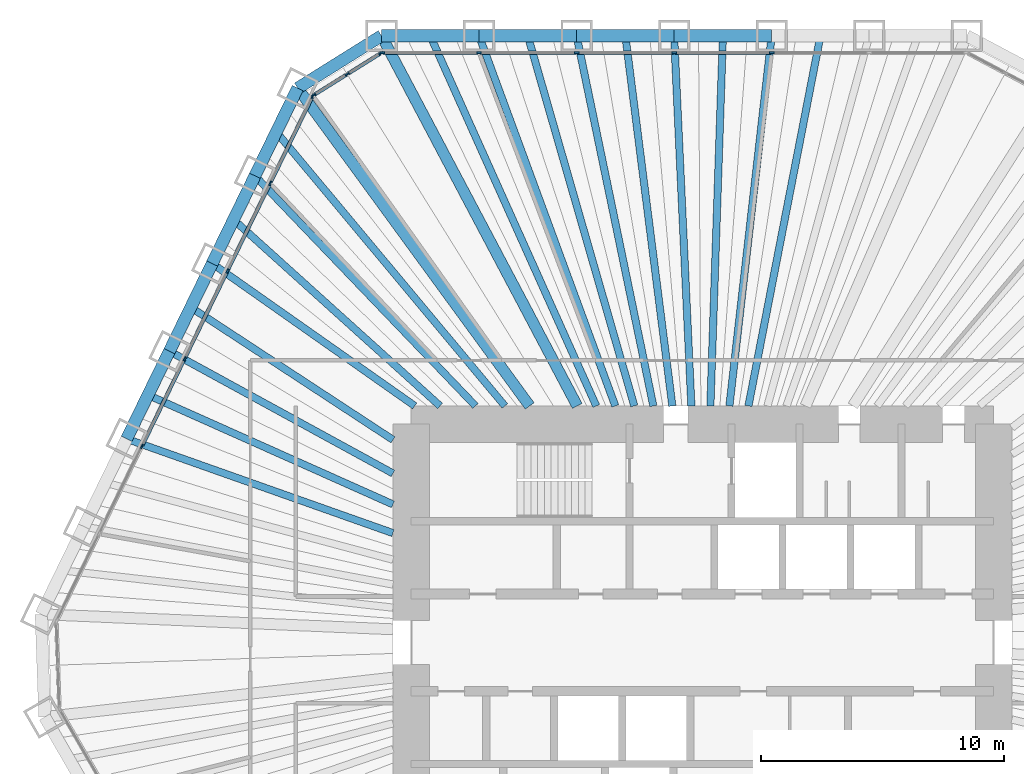
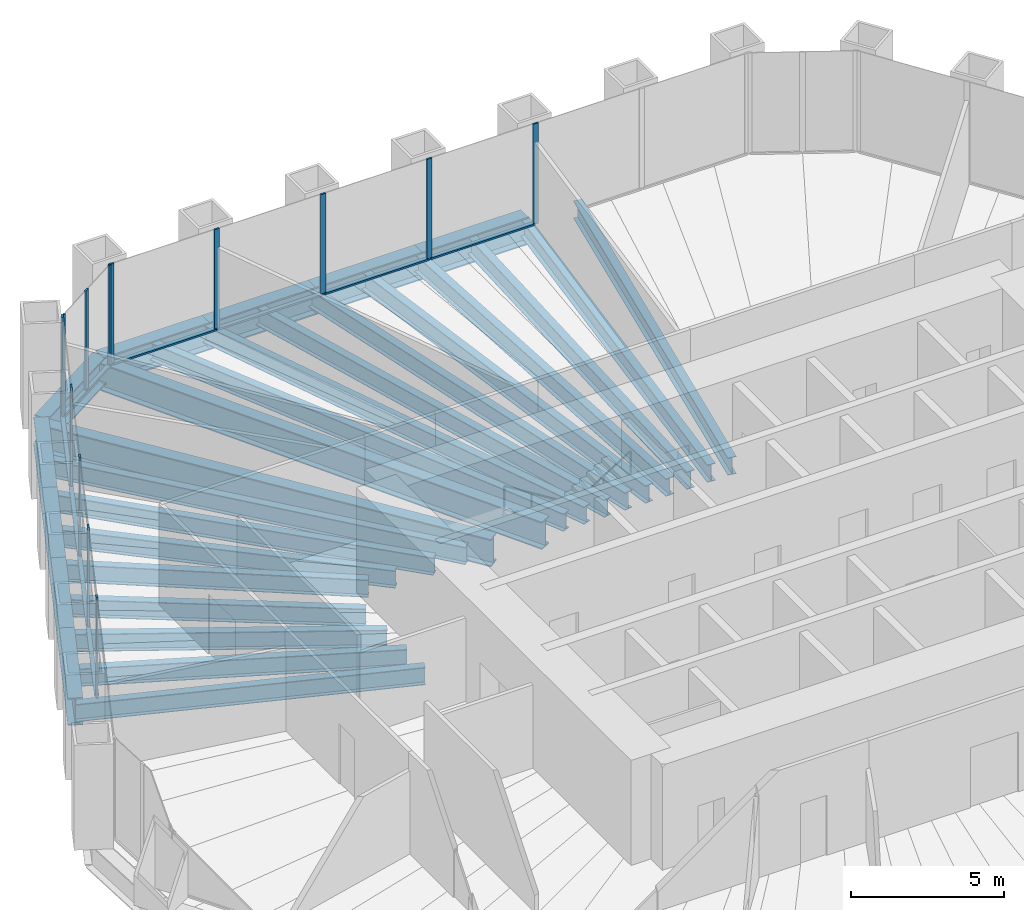
# One storey, part 6 of 13: 28 beams, 23 members, 3 elements without a shape of their own.
"""IFC4 building model written with IfcOpenShell, lengths in metres."""

import ifcopenshell
import ifcopenshell.guid

model = None  # the IFC model being written
_history = None  # IfcOwnerHistory: only IFC2X3 demands one
_inside = {}  # id of a spatial element -> (the spatial element, [elements in it])
_under = {}  # id of a project, library or spatial element -> (it, [spatial elements below it])
_declared = {}  # id of a project -> (the project, [libraries it declares])
_typed = {}  # id of a type object -> (the type object, [elements of that type])
_made_of = {}  # id of a material, layer set ... -> (it, [elements and type objects made of it])


def new_model(schema):
    """Start an empty IFC model of exactly this schema.

    Asked for "IFC4X3", IfcOpenShell would pick the latest addendum, in which some entities
    have other attributes; the version numbers below select the first issue.
    IFC2X3 requires an IfcOwnerHistory on every rooted entity: one is made here for all.
    """
    global model, _history
    if schema == "IFC4X3":
        model = ifcopenshell.file(schema_version=(4, 3, 0, 0))
    else:
        model = ifcopenshell.file(schema=schema)
    _inside.clear()
    _under.clear()
    _declared.clear()
    _typed.clear()
    _made_of.clear()
    _history = None
    if model.schema == "IFC2X3":
        org = make("IfcOrganization", Name="unknown")
        user = make(
            "IfcPersonAndOrganization",
            ThePerson=make("IfcPerson", FamilyName="unknown"),
            TheOrganization=org,
        )
        app = make(
            "IfcApplication",
            ApplicationDeveloper=org,
            Version="unknown",
            ApplicationFullName="unknown",
            ApplicationIdentifier="unknown",
        )
        _history = make(
            "IfcOwnerHistory",
            OwningUser=user,
            OwningApplication=app,
            ChangeAction="ADDED",
            CreationDate=0,
        )
    return model


def make(cls, **values):
    """One entity of the class cls with the attributes given. An attribute that is None is left unset."""
    return model.create_entity(
        cls, **{name: value for name, value in values.items() if value is not None}
    )


def rooted(cls, **values):
    """An entity with a GlobalId (a new one), such as an element, a storey or a relation."""
    return make(cls, GlobalId=ifcopenshell.guid.new(), OwnerHistory=_history, **values)


def si_unit(unit_type, name, prefix=None):
    """IfcSIUnit, for example si_unit("LENGTHUNIT", "METRE", prefix="MILLI")."""
    return make("IfcSIUnit", UnitType=unit_type, Prefix=prefix, Name=name)


def assignment(units):
    """IfcUnitAssignment: the units of a project."""
    return None if units is None else make("IfcUnitAssignment", Units=units)


def point(xyz):
    """IfcCartesianPoint."""
    return None if xyz is None else make("IfcCartesianPoint", Coordinates=xyz)


def direction(xyz):
    """IfcDirection."""
    return None if xyz is None else make("IfcDirection", DirectionRatios=xyz)


def frame(location, z_axis=None, x_axis=None):
    """IfcAxis2Placement3D, a coordinate frame: its origin and axes. An axis left out is left unset."""
    return make(
        "IfcAxis2Placement3D",
        Location=point(location),
        Axis=direction(z_axis),
        RefDirection=direction(x_axis),
    )


def frame_2d(location, x_axis=None):
    """IfcAxis2Placement2D, a coordinate frame in the plane: its origin and x axis."""
    return make(
        "IfcAxis2Placement2D", Location=point(location), RefDirection=direction(x_axis)
    )


def origin():
    """The frame at (0, 0, 0) with its axes left unset."""
    return frame((0.0, 0.0, 0.0))


def origin_2d():
    """The frame at (0, 0) in the plane with its x axis left unset."""
    return frame_2d((0.0, 0.0))


def place(relative_to, where):
    """IfcLocalPlacement: puts the frame where relative to a parent placement (None: the world)."""
    return make(
        "IfcLocalPlacement", PlacementRelTo=relative_to, RelativePlacement=where
    )


def context(
    kind, dimensions, precision=None, world=None, true_north=None, identifier=None
):
    """IfcGeometricRepresentationContext, for example the 3D "Model" context."""
    return make(
        "IfcGeometricRepresentationContext",
        ContextIdentifier=identifier,
        ContextType=kind,
        CoordinateSpaceDimension=dimensions,
        Precision=precision,
        WorldCoordinateSystem=world,
        TrueNorth=true_north,
    )


def subcontext(parent, identifier, kind, view, scale=None):
    """IfcGeometricRepresentationSubContext, for example "Body" below "Model"."""
    return make(
        "IfcGeometricRepresentationSubContext",
        ContextIdentifier=identifier,
        ContextType=kind,
        ParentContext=parent,
        TargetScale=scale,
        TargetView=view,
    )


def project(units=None, contexts=None):
    """IfcProject with its units and contexts."""
    return rooted(
        "IfcProject",
        Name="project",
        RepresentationContexts=contexts,
        UnitsInContext=assignment(units),
    )


def spatial(cls, under=None, at=None, **own):
    """A site, building, storey or space (cls), placed at a placement, below another one or the project."""
    s = rooted(cls, ObjectPlacement=at, **own)
    if under is not None:
        _under.setdefault(under.id(), (under, []))[1].append(s)
    return s


def profile(cls, at=None, kind="AREA", **sizes):
    """A parametric profile (cls). Its sizes go by their IFC names, for example OverallWidth=200.0."""
    return make(cls, ProfileType=kind, Position=at, **sizes)


def rectangle(**sizes):
    """IfcRectangleProfileDef."""
    return profile("IfcRectangleProfileDef", **sizes)


def i_section(**sizes):
    """IfcIShapeProfileDef."""
    return profile("IfcIShapeProfileDef", **sizes)


def extrude(swept, where, along, depth):
    """IfcExtrudedAreaSolid: the profile swept, set in the frame where, extruded along a direction by depth."""
    return make(
        "IfcExtrudedAreaSolid",
        SweptArea=swept,
        Position=where,
        ExtrudedDirection=direction(along),
        Depth=depth,
    )


def shape(context_of_items, identifier, shape_type, items):
    """IfcShapeRepresentation: the items that make up one representation, for example the "Body"."""
    return make(
        "IfcShapeRepresentation",
        ContextOfItems=context_of_items,
        RepresentationIdentifier=identifier,
        RepresentationType=shape_type,
        Items=items,
    )


def material(Name=None, Category=None):
    """IfcMaterial."""
    return make("IfcMaterial", Name=Name, Category=Category)


def material_profile(
    of_material, cross_section, Name=None, Category=None, Priority=None
):
    """IfcMaterialProfile: a cross section and its material."""
    return make(
        "IfcMaterialProfile",
        Name=Name,
        Material=of_material,
        Profile=cross_section,
        Priority=Priority,
        Category=Category,
    )


def profile_set(profiles, Name=None, composite=None):
    """IfcMaterialProfileSet."""
    return make(
        "IfcMaterialProfileSet",
        Name=Name,
        MaterialProfiles=profiles,
        CompositeProfile=composite,
    )


def made_of(thing, what):
    """Note that an element or type object is made of a material, layer set ...; save() writes the relation."""
    if what is not None:
        _made_of.setdefault(what.id(), (what, []))[1].append(thing)
    return thing


def type_object(cls, material=None, **own):
    """A type object (cls), such as IfcWallType, which elements share."""
    return made_of(rooted(cls, **own), material)


def element(
    cls,
    number,
    at=None,
    inside=None,
    cuts=None,
    type_object=None,
    material=None,
    context=None,
    identifier="Body",
    shape_type=None,
    held_by="IfcProductDefinitionShape",
    body=None,
    shapes=None,
    **own,
):
    """One element of the class cls, such as IfcWall. Its Tag is "e" and its number.

    at: its placement. inside: the storey or other place that contains it. cuts: it is an
    opening in that element (IfcRelVoidsElement). A single representation is given by context,
    identifier, shape_type and body (its items); several are given by shapes. held_by: the class
    of the entity that holds the representations. save() writes the other relations.
    """
    e = rooted(cls, Tag="e%d" % number, ObjectPlacement=at, **own)
    if body is not None:
        shapes = [shape(context, identifier, shape_type, body)]
    if shapes is not None:
        e.Representation = make(held_by, Representations=shapes)
    if inside is not None:
        _inside.setdefault(inside.id(), (inside, []))[1].append(e)
    if cuts is not None:
        rooted(
            "IfcRelVoidsElement", RelatingBuildingElement=cuts, RelatedOpeningElement=e
        )
    if type_object is not None:
        _typed.setdefault(type_object.id(), (type_object, []))[1].append(e)
    return made_of(e, material)


def aggregate(whole, parts):
    """IfcRelAggregates: a whole, such as a stair, and the parts it consists of."""
    return rooted("IfcRelAggregates", RelatingObject=whole, RelatedObjects=parts)


def save(model, path):
    """Write the relations noted so far, then the file.

    IfcRelAggregates (storeys below a building ...), IfcRelContainedInSpatialStructure (elements
    in a storey), IfcRelDefinesByType, IfcRelAssociatesMaterial and IfcRelDeclares: one each for
    every whole, place, type object, material and project.
    """
    for whole, parts in _under.values():
        aggregate(whole, parts)
    for where, things in _inside.values():
        rooted(
            "IfcRelContainedInSpatialStructure",
            RelatedElements=things,
            RelatingStructure=where,
        )
    for kind, things in _typed.values():
        rooted("IfcRelDefinesByType", RelatedObjects=things, RelatingType=kind)
    for what, things in _made_of.values():
        rooted("IfcRelAssociatesMaterial", RelatedObjects=things, RelatingMaterial=what)
    for by, libraries in _declared.values():
        rooted("IfcRelDeclares", RelatingContext=by, RelatedDefinitions=libraries)
    model.write(path)


model = new_model("IFC4")

# Units and contexts
model_context = context("Model", 3, precision=1e-05, world=origin(), true_north=direction((0.0, 1.0)))
body_context = subcontext(model_context, "Body", "Model", "MODEL_VIEW")
ifc_project = project(units=[si_unit("LENGTHUNIT", "METRE"), si_unit("AREAUNIT", "SQUARE_METRE"), si_unit("VOLUMEUNIT", "CUBIC_METRE"), si_unit("PLANEANGLEUNIT", "RADIAN"), si_unit("MASSUNIT", "GRAM", prefix="KILO")], contexts=[model_context])

# Site, building, storey
site_placement = place(None, origin())
site = spatial("IfcSite", under=ifc_project, at=site_placement, CompositionType="ELEMENT")
building_placement = place(site_placement, origin())
building = spatial("IfcBuilding", under=site, at=building_placement, Name="Qingtian Harvest Tower", CompositionType="ELEMENT")
storey_placement = place(building_placement, frame((0.0, 0.0, 153.39990234375)))
storey = spatial("IfcBuildingStorey", under=building, at=storey_placement, Name="L32", CompositionType="ELEMENT", Elevation=153.39990234375)

# Beams
ifc_material_1 = material(Name="Steel SM570MC", Category="steel")
ifc_material_profile_1 = material_profile(ifc_material_1, i_section(OverallWidth=0.449951171875, OverallDepth=1.10009765625, WebThickness=0.02197265625, FlangeThickness=0.044921875, at=origin_2d()), Name="H1100x450x22x45")
ifc_profile_set_1 = profile_set([ifc_material_profile_1], Name="Steel SM570MC")
beam_type_1 = type_object("IfcBeamType", Name="Corner floor beam FB8 H1100x450x22x45", PredefinedType="BEAM", material=ifc_profile_set_1)
beam_1_placement = place(storey_placement, frame((-13.2216796875, 25.0, -0.719970703125), z_axis=(0.46750989692, -0.88398783718, 0.0), x_axis=(0.88398783718, 0.46750989692, 0.0)))
element("IfcBeam", 1, at=beam_1_placement, inside=storey, type_object=beam_type_1, Name="Floor beam FB8 N0", PredefinedType="BEAM", context=body_context, shape_type="SweptSolid", body=[
    extrude(i_section(OverallWidth=0.449951171875, OverallDepth=1.10009765625, WebThickness=0.02197265625, FlangeThickness=0.044921875, at=origin_2d()), origin(), (0.0, 0.0, 1.0), 17.25146484375),
])
beam_2_placement = place(storey_placement, frame((-16.673828125, 22.8427734375, -0.719970703125), z_axis=(0.589577703364, -0.807711663712, 0.0), x_axis=(0.807711663712, 0.589577703364, 0.0)))
element("IfcBeam", 2, at=beam_2_placement, inside=storey, type_object=beam_type_1, Name="Floor beam FB8 NW6", PredefinedType="BEAM", context=body_context, shape_type="SweptSolid", body=[
    extrude(i_section(OverallWidth=0.449951171875, OverallDepth=1.10009765625, WebThickness=0.02197265625, FlangeThickness=0.044921875, at=origin_2d()), origin(), (0.0, 0.0, 1.0), 16.209716796875),
])
ifc_material_2 = material(Name="Steel SN490B", Category="steel")
ifc_material_profile_2 = material_profile(ifc_material_2, i_section(OverallWidth=0.300048828125, OverallDepth=0.699951171875, WebThickness=0.012939453125, FlangeThickness=0.02392578125, at=origin_2d()), Name="H700x300x13x24")
ifc_profile_set_2 = profile_set([ifc_material_profile_2], Name="Steel SN490B")
beam_type_2 = type_object("IfcBeamType", Name="Floor beam FB2 H700x300x13x24", PredefinedType="BEAM", material=ifc_profile_set_2)
beam_3_placement = place(storey_placement, frame((-9.20263671875, 25.0, -0.52001953125), z_axis=(0.345440084985, -0.938440806703, 0.0), x_axis=(0.938440806703, 0.345440084985, 0.0)))
element("IfcBeam", 3, at=beam_3_placement, inside=storey, type_object=beam_type_2, Name="Floor beam FB2 N1", PredefinedType="BEAM", context=body_context, shape_type="SweptSolid", body=[
    extrude(i_section(OverallWidth=0.300048828125, OverallDepth=0.699951171875, WebThickness=0.012939453125, FlangeThickness=0.02392578125, at=origin_2d()), origin(), (0.0, 0.0, 1.0), 16.250244140625),
])
beam_4_placement = place(storey_placement, frame((-5.18359375, 25.0, -0.52001953125), z_axis=(0.203032709566, -0.979171955709, 0.0), x_axis=(0.979171955709, 0.203032709566, 0.0)))
element("IfcBeam", 4, at=beam_4_placement, inside=storey, type_object=beam_type_2, Name="Floor beam FB2 N2", PredefinedType="BEAM", context=body_context, shape_type="SweptSolid", body=[
    extrude(i_section(OverallWidth=0.300048828125, OverallDepth=0.699951171875, WebThickness=0.012939453125, FlangeThickness=0.02392578125, at=origin_2d()), origin(), (0.0, 0.0, 1.0), 15.574462890625),
])
beam_5_placement = place(storey_placement, frame((-1.16455078125, 25.0, -0.52001953125), z_axis=(0.046536361684, -0.998916596639, 0.0), x_axis=(0.998916596639, 0.046536361684, 0.0)))
element("IfcBeam", 5, at=beam_5_placement, inside=storey, type_object=beam_type_2, Name="Floor beam FB2 N3", PredefinedType="BEAM", context=body_context, shape_type="SweptSolid", body=[
    extrude(i_section(OverallWidth=0.300048828125, OverallDepth=0.699951171875, WebThickness=0.012939453125, FlangeThickness=0.02392578125, at=origin_2d()), origin(), (0.0, 0.0, 1.0), 15.2666015625),
])
beam_6_placement = place(storey_placement, frame((2.8544921875, 25.0, -0.52001953125), z_axis=(-0.113440722222, -0.993544766249, 0.0), x_axis=(0.993544766249, -0.113440722222, 0.0)))
element("IfcBeam", 6, at=beam_6_placement, inside=storey, type_object=beam_type_2, Name="Floor beam FB2 N4", PredefinedType="BEAM", context=body_context, shape_type="SweptSolid", body=[
    extrude(i_section(OverallWidth=0.300048828125, OverallDepth=0.699951171875, WebThickness=0.012939453125, FlangeThickness=0.02392578125, at=origin_2d()), origin(), (0.0, 0.0, 1.0), 15.34912109375),
])
beam_7_placement = place(storey_placement, frame((-23.72119140625, 8.3935546875, -0.52001953125), z_axis=(0.942723186419, -0.333576068967, 0.0), x_axis=(0.333576068967, 0.942723186419, 0.0)))
element("IfcBeam", 7, at=beam_7_placement, inside=storey, type_object=beam_type_2, Name="Floor beam FB2 NW2", PredefinedType="BEAM", context=body_context, shape_type="SweptSolid", body=[
    extrude(i_section(OverallWidth=0.300048828125, OverallDepth=0.699951171875, WebThickness=0.012939453125, FlangeThickness=0.02392578125, at=origin_2d()), origin(), (0.0, 0.0, 1.0), 11.6376953125),
])
beam_8_placement = place(storey_placement, frame((-21.95947265625, 12.005859375, -0.52001953125), z_axis=(0.877432026785, -0.479700988505, 0.0), x_axis=(0.479700988505, 0.877432026785, 0.0)))
element("IfcBeam", 8, at=beam_8_placement, inside=storey, type_object=beam_type_2, Name="Floor beam FB2 NW3", PredefinedType="BEAM", context=body_context, shape_type="SweptSolid", body=[
    extrude(i_section(OverallWidth=0.300048828125, OverallDepth=0.699951171875, WebThickness=0.012939453125, FlangeThickness=0.02392578125, at=origin_2d()), origin(), (0.0, 0.0, 1.0), 10.495849609375),
])
beam_9_placement = place(storey_placement, frame((-20.197509765625, 15.6181640625, -0.52001953125), z_axis=(0.818080343043, -0.57510394915, 0.0), x_axis=(0.57510394915, 0.818080343043, 0.0)))
element("IfcBeam", 9, at=beam_9_placement, inside=storey, type_object=beam_type_2, Name="Floor beam FB2 NW4", PredefinedType="BEAM", context=body_context, shape_type="SweptSolid", body=[
    extrude(i_section(OverallWidth=0.300048828125, OverallDepth=0.699951171875, WebThickness=0.012939453125, FlangeThickness=0.02392578125, at=origin_2d()), origin(), (0.0, 0.0, 1.0), 10.20361328125),
])
beam_10_placement = place(storey_placement, frame((-18.435791015625, 19.23046875, -0.52001953125), z_axis=(0.69204101057, -0.721858185303, 0.0), x_axis=(0.721858185303, 0.69204101057, 0.0)))
element("IfcBeam", 10, at=beam_10_placement, inside=storey, type_object=beam_type_2, Name="Floor beam FB2 NW5", PredefinedType="BEAM", context=body_context, shape_type="SweptSolid", body=[
    extrude(i_section(OverallWidth=0.300048828125, OverallDepth=0.699951171875, WebThickness=0.012939453125, FlangeThickness=0.02392578125, at=origin_2d()), origin(), (0.0, 0.0, 1.0), 13.13330078125),
])
ifc_material_3 = material(Name="Steel SN490B", Category="steel")
ifc_material_profile_3 = material_profile(ifc_material_3, i_section(OverallWidth=0.300048828125, OverallDepth=0.699951171875, WebThickness=0.012939453125, FlangeThickness=0.02392578125, at=origin_2d()), Name="H700x300x13x24")
ifc_profile_set_3 = profile_set([ifc_material_profile_3], Name="Steel SN490B")
beam_type_3 = type_object("IfcBeamType", Name="Floor joist J2 H700x300x13x24", PredefinedType="JOIST", material=ifc_profile_set_3)
beam_11_placement = place(storey_placement, frame((-11.212158203125, 25.0, -0.52001953125), z_axis=(0.409212761683, -0.912438992852, 0.0), x_axis=(0.912438992852, 0.409212761683, 0.0)))
element("IfcBeam", 11, at=beam_11_placement, inside=storey, type_object=beam_type_3, Name="Floor joist J2 N0", PredefinedType="JOIST", context=body_context, shape_type="SweptSolid", body=[
    extrude(i_section(OverallWidth=0.300048828125, OverallDepth=0.699951171875, WebThickness=0.012939453125, FlangeThickness=0.02392578125, at=origin_2d()), origin(), (0.0, 0.0, 1.0), 16.71337890625),
])
beam_12_placement = place(storey_placement, frame((-7.193115234375, 25.0, -0.52001953125), z_axis=(0.276500682027, -0.961013721462, 0.0), x_axis=(0.961013721462, 0.276500682027, 0.0)))
element("IfcBeam", 12, at=beam_12_placement, inside=storey, type_object=beam_type_3, Name="Floor joist J2 N1", PredefinedType="JOIST", context=body_context, shape_type="SweptSolid", body=[
    extrude(i_section(OverallWidth=0.300048828125, OverallDepth=0.699951171875, WebThickness=0.012939453125, FlangeThickness=0.02392578125, at=origin_2d()), origin(), (0.0, 0.0, 1.0), 15.86865234375),
])
beam_13_placement = place(storey_placement, frame((-3.174072265625, 25.0, -0.52001953125), z_axis=(0.125957899702, -0.992035587821, 0.0), x_axis=(0.992035587821, 0.125957899702, 0.0)))
element("IfcBeam", 13, at=beam_13_placement, inside=storey, type_object=beam_type_3, Name="Floor joist J2 N2", PredefinedType="JOIST", context=body_context, shape_type="SweptSolid", body=[
    extrude(i_section(OverallWidth=0.300048828125, OverallDepth=0.699951171875, WebThickness=0.012939453125, FlangeThickness=0.02392578125, at=origin_2d()), origin(), (0.0, 0.0, 1.0), 15.372314453125),
])
beam_14_placement = place(storey_placement, frame((0.844970703125, 25.0, -0.52001953125), z_axis=(-0.033776183237, -0.999429421943, 0.0), x_axis=(0.999429421943, -0.033776183237, 0.0)))
element("IfcBeam", 14, at=beam_14_placement, inside=storey, type_object=beam_type_3, Name="Floor joist J2 N3", PredefinedType="JOIST", context=body_context, shape_type="SweptSolid", body=[
    extrude(i_section(OverallWidth=0.300048828125, OverallDepth=0.699951171875, WebThickness=0.012939453125, FlangeThickness=0.02392578125, at=origin_2d()), origin(), (0.0, 0.0, 1.0), 15.2587890625),
])
beam_15_placement = place(storey_placement, frame((4.864013671875, 25.0, -0.52001953125), z_axis=(-0.190979017217, -0.981594119269, 0.0), x_axis=(0.981594119269, -0.190979017217, 0.0)))
element("IfcBeam", 15, at=beam_15_placement, inside=storey, type_object=beam_type_3, Name="Floor joist J2 N4", PredefinedType="JOIST", context=body_context, shape_type="SweptSolid", body=[
    extrude(i_section(OverallWidth=0.300048828125, OverallDepth=0.699951171875, WebThickness=0.012939453125, FlangeThickness=0.02392578125, at=origin_2d()), origin(), (0.0, 0.0, 1.0), 15.535888671875),
])
beam_16_placement = place(storey_placement, frame((-22.84033203125, 10.19970703125, -0.52001953125), z_axis=(0.913095877166, -0.407744919162, 0.0), x_axis=(0.407744919162, 0.913095877166, 0.0)))
element("IfcBeam", 16, at=beam_16_placement, inside=storey, type_object=beam_type_3, Name="Floor joist J2 NW2", PredefinedType="JOIST", context=body_context, shape_type="SweptSolid", body=[
    extrude(i_section(OverallWidth=0.300048828125, OverallDepth=0.699951171875, WebThickness=0.012939453125, FlangeThickness=0.02392578125, at=origin_2d()), origin(), (0.0, 0.0, 1.0), 11.05078125),
])
beam_17_placement = place(storey_placement, frame((-21.078369140625, 13.81201171875, -0.52001953125), z_axis=(0.836426246046, -0.548079496903, 0.0), x_axis=(0.548079496903, 0.836426246046, 0.0)))
element("IfcBeam", 17, at=beam_17_placement, inside=storey, type_object=beam_type_3, Name="Floor joist J2 NW3", PredefinedType="JOIST", context=body_context, shape_type="SweptSolid", body=[
    extrude(i_section(OverallWidth=0.300048828125, OverallDepth=0.699951171875, WebThickness=0.012939453125, FlangeThickness=0.02392578125, at=origin_2d()), origin(), (0.0, 0.0, 1.0), 9.95703125),
])
beam_18_placement = place(storey_placement, frame((-19.316650390625, 17.42431640625, -0.52001953125), z_axis=(0.742543540775, -0.669797797886, 0.0), x_axis=(0.669797797886, 0.742543540775, 0.0)))
element("IfcBeam", 18, at=beam_18_placement, inside=storey, type_object=beam_type_3, Name="Floor joist J2 NW4", PredefinedType="JOIST", context=body_context, shape_type="SweptSolid", body=[
    extrude(i_section(OverallWidth=0.300048828125, OverallDepth=0.699951171875, WebThickness=0.012939453125, FlangeThickness=0.02392578125, at=origin_2d()), origin(), (0.0, 0.0, 1.0), 11.457763671875),
])
beam_19_placement = place(storey_placement, frame((-17.5546875, 21.03662109375, -0.52001953125), z_axis=(0.640703730007, -0.767788206704, 0.0), x_axis=(0.767788206704, 0.640703730007, 0.0)))
element("IfcBeam", 19, at=beam_19_placement, inside=storey, type_object=beam_type_3, Name="Floor joist J2 NW5", PredefinedType="JOIST", context=body_context, shape_type="SweptSolid", body=[
    extrude(i_section(OverallWidth=0.300048828125, OverallDepth=0.699951171875, WebThickness=0.012939453125, FlangeThickness=0.02392578125, at=origin_2d()), origin(), (0.0, 0.0, 1.0), 14.7001953125),
])

# Curtain wall, members
ifc_material_4 = material(Name="Bronze-anodised aluminium curtain wall", Category="aluminium")
curtain_wall_type = type_object("IfcCurtainWallType", Name="Curtain wall CW4 office", PredefinedType="USERDEFINED", material=ifc_material_4)
curtain_wall_1_placement = place(storey_placement, origin())
curtain_wall_1 = element("IfcCurtainWall", 20, at=curtain_wall_1_placement, inside=storey, type_object=curtain_wall_type, Name="Curtain wall CW4 L32 N0-5", ObjectType="RECESSED CURTAIN WALL", PredefinedType="USERDEFINED")
ifc_material_5 = material(Name="Bronze-anodised aluminium mullion", Category="aluminium")
ifc_material_profile_4 = material_profile(ifc_material_5, rectangle(XDim=0.06494140625, YDim=0.199951171875, at=origin_2d()), Name="AL 65x200")
ifc_profile_set_4 = profile_set([ifc_material_profile_4], Name="Bronze-anodised aluminium mullion")
member_type_1 = type_object("IfcMemberType", Name="Mullion CWM 65x200", PredefinedType="MULLION", material=ifc_profile_set_4)
member_1_placement = place(storey_placement, frame((-13.189208984375, 24.300048828125, 0.0), z_axis=(0.0, 0.0, 1.0), x_axis=(0.0, 1.0, 0.0)))
member_1 = element("IfcMember", 21, at=member_1_placement, type_object=member_type_1, Name="CW4 mullion 1", PredefinedType="MULLION", context=body_context, shape_type="SweptSolid", body=[
    extrude(rectangle(XDim=0.06494140625, YDim=0.199951171875, at=origin_2d()), origin(), (0.0, 0.0, 1.0), 4.030029296875),
])
member_2_placement = place(storey_placement, frame((-9.20263671875, 24.300048828125, 0.0), z_axis=(0.0, 0.0, 1.0), x_axis=(0.0, 1.0, 0.0)))
member_2 = element("IfcMember", 22, at=member_2_placement, type_object=member_type_1, Name="CW4 mullion 2", PredefinedType="MULLION", context=body_context, shape_type="SweptSolid", body=[
    extrude(rectangle(XDim=0.06494140625, YDim=0.199951171875, at=origin_2d()), origin(), (0.0, 0.0, 1.0), 4.030029296875),
])
member_3_placement = place(storey_placement, frame((-5.18359375, 24.300048828125, 0.0), z_axis=(0.0, 0.0, 1.0), x_axis=(0.0, 1.0, 0.0)))
member_3 = element("IfcMember", 23, at=member_3_placement, type_object=member_type_1, Name="CW4 mullion 3", PredefinedType="MULLION", context=body_context, shape_type="SweptSolid", body=[
    extrude(rectangle(XDim=0.06494140625, YDim=0.199951171875, at=origin_2d()), origin(), (0.0, 0.0, 1.0), 4.030029296875),
])
member_4_placement = place(storey_placement, frame((-1.16455078125, 24.300048828125, 0.0), z_axis=(0.0, 0.0, 1.0), x_axis=(0.0, 1.0, 0.0)))
member_4 = element("IfcMember", 24, at=member_4_placement, type_object=member_type_1, Name="CW4 mullion 4", PredefinedType="MULLION", context=body_context, shape_type="SweptSolid", body=[
    extrude(rectangle(XDim=0.06494140625, YDim=0.199951171875, at=origin_2d()), origin(), (0.0, 0.0, 1.0), 4.030029296875),
])
member_5_placement = place(storey_placement, frame((2.8544921875, 24.300048828125, 0.0), z_axis=(0.0, 0.0, 1.0), x_axis=(0.0, 1.0, 0.0)))
member_5 = element("IfcMember", 25, at=member_5_placement, type_object=member_type_1, Name="CW4 mullion 5", PredefinedType="MULLION", context=body_context, shape_type="SweptSolid", body=[
    extrude(rectangle(XDim=0.06494140625, YDim=0.199951171875, at=origin_2d()), origin(), (0.0, 0.0, 1.0), 4.030029296875),
])

curtain_wall_2_placement = place(storey_placement, origin())
curtain_wall_2 = element("IfcCurtainWall", 26, at=curtain_wall_2_placement, inside=storey, type_object=curtain_wall_type, Name="Curtain wall CW4 L32 NW0-5", ObjectType="RECESSED CURTAIN WALL", PredefinedType="USERDEFINED")
member_6_placement = place(storey_placement, frame((-23.092041015625, 8.086669921875, 0.0), z_axis=(0.0, 0.0, 1.0), x_axis=(-0.898794046299, 0.438371146789, 0.0)))
member_6 = element("IfcMember", 27, at=member_6_placement, type_object=member_type_1, Name="CW4 mullion 3", PredefinedType="MULLION", context=body_context, shape_type="SweptSolid", body=[
    extrude(rectangle(XDim=0.06494140625, YDim=0.199951171875, at=origin_2d()), origin(), (0.0, 0.0, 1.0), 4.030029296875),
])
member_7_placement = place(storey_placement, frame((-21.330322265625, 11.698974609375, 0.0), z_axis=(0.0, 0.0, 1.0), x_axis=(-0.898794046299, 0.438371146789, 0.0)))
member_7 = element("IfcMember", 28, at=member_7_placement, type_object=member_type_1, Name="CW4 mullion 4", PredefinedType="MULLION", context=body_context, shape_type="SweptSolid", body=[
    extrude(rectangle(XDim=0.06494140625, YDim=0.199951171875, at=origin_2d()), origin(), (0.0, 0.0, 1.0), 4.030029296875),
])
member_8_placement = place(storey_placement, frame((-19.568359375, 15.311279296875, 0.0), z_axis=(0.0, 0.0, 1.0), x_axis=(-0.898794046299, 0.438371146789, 0.0)))
member_8 = element("IfcMember", 29, at=member_8_placement, type_object=member_type_1, Name="CW4 mullion 5", PredefinedType="MULLION", context=body_context, shape_type="SweptSolid", body=[
    extrude(rectangle(XDim=0.06494140625, YDim=0.199951171875, at=origin_2d()), origin(), (0.0, 0.0, 1.0), 4.030029296875),
])
member_9_placement = place(storey_placement, frame((-17.806396484375, 18.923828125, 0.0), z_axis=(0.0, 0.0, 1.0), x_axis=(-0.898794046299, 0.438371146789, 0.0)))
member_9 = element("IfcMember", 30, at=member_9_placement, type_object=member_type_1, Name="CW4 mullion 6", PredefinedType="MULLION", context=body_context, shape_type="SweptSolid", body=[
    extrude(rectangle(XDim=0.06494140625, YDim=0.199951171875, at=origin_2d()), origin(), (0.0, 0.0, 1.0), 4.030029296875),
])
member_10_placement = place(storey_placement, frame((-16.058837890625, 22.5068359375, 0.0), z_axis=(0.0, 0.0, 1.0), x_axis=(-0.898794046299, 0.438371146789, 0.0)))
member_10 = element("IfcMember", 31, at=member_10_placement, type_object=member_type_1, Name="CW4 mullion 7", PredefinedType="MULLION", context=body_context, shape_type="SweptSolid", body=[
    extrude(rectangle(XDim=0.06494140625, YDim=0.199951171875, at=origin_2d()), origin(), (0.0, 0.0, 1.0), 4.030029296875),
])

curtain_wall_3_placement = place(storey_placement, origin())
curtain_wall_3 = element("IfcCurtainWall", 32, at=curtain_wall_3_placement, inside=storey, type_object=curtain_wall_type, Name="Curtain wall CW4 L32 NWC", ObjectType="RECESSED CURTAIN WALL", PredefinedType="USERDEFINED")
member_11_placement = place(storey_placement, frame((-16.01708984375, 22.55322265625, 0.0), z_axis=(0.0, 0.0, 1.0), x_axis=(-0.529919264233, 0.848048096156, 0.0)))
member_11 = element("IfcMember", 33, at=member_11_placement, type_object=member_type_1, Name="CW4 mullion 1", PredefinedType="MULLION", context=body_context, shape_type="SweptSolid", body=[
    extrude(rectangle(XDim=0.06494140625, YDim=0.199951171875, at=origin_2d()), origin(), (0.0, 0.0, 1.0), 4.030029296875),
])
member_12_placement = place(storey_placement, frame((-14.63330078125, 23.41796875, 0.0), z_axis=(0.0, 0.0, 1.0), x_axis=(-0.529919264233, 0.848048096156, 0.0)))
member_12 = element("IfcMember", 34, at=member_12_placement, type_object=member_type_1, Name="CW4 mullion 2", PredefinedType="MULLION", context=body_context, shape_type="SweptSolid", body=[
    extrude(rectangle(XDim=0.06494140625, YDim=0.199951171875, at=origin_2d()), origin(), (0.0, 0.0, 1.0), 4.030029296875),
])
member_13_placement = place(storey_placement, frame((-13.249267578125, 24.28271484375, 0.0), z_axis=(0.0, 0.0, 1.0), x_axis=(-0.529919264233, 0.848048096156, 0.0)))
member_13 = element("IfcMember", 35, at=member_13_placement, type_object=member_type_1, Name="CW4 mullion 3", PredefinedType="MULLION", context=body_context, shape_type="SweptSolid", body=[
    extrude(rectangle(XDim=0.06494140625, YDim=0.199951171875, at=origin_2d()), origin(), (0.0, 0.0, 1.0), 4.030029296875),
])

# Beams
ifc_material_6 = material(Name="Steel SM570MC", Category="steel")
ifc_material_profile_5 = material_profile(ifc_material_6, i_section(OverallWidth=0.5, OverallDepth=1.10009765625, WebThickness=0.02490234375, FlangeThickness=0.050048828125, at=origin_2d()), Name="H1100x500x25x50")
ifc_profile_set_5 = profile_set([ifc_material_profile_5], Name="Steel SM570MC")
beam_type_4 = type_object("IfcBeamType", Name="Spandrel beam SB2 H1100x500x25x50", PredefinedType="SPANDREL", material=ifc_profile_set_5)
for number, where, z_axis, x_axis, name in (
    (36, (-13.2216796875, 25.0, -0.5498046875), (1.0, 0.0, 0.0), (0.0, 1.0, 0.0), "Spandrel SB2 N0"),
    (37, (-9.20263671875, 25.0, -0.5498046875), (1.0, 0.0, 0.0), (0.0, 1.0, 0.0), "Spandrel SB2 N1"),
    (38, (-5.18359375, 25.0, -0.5498046875), (1.0, 0.0, 0.0), (0.0, 1.0, 0.0), "Spandrel SB2 N2"),
    (39, (-1.16455078125, 25.0, -0.5498046875), (1.0, 0.0, 0.0), (0.0, 1.0, 0.0), "Spandrel SB2 N3"),
    (40, (-23.72119140625, 8.3935546875, -0.5498046875), (0.438347033158, 0.898805806902, 0.0), (-0.898805806902, 0.438347033158, 0.0), "Spandrel SB2 NW2"),
    (41, (-21.95947265625, 12.005859375, -0.5498046875), (0.438396105405, 0.89878187274, 0.0), (-0.89878187274, 0.438396105405, 0.0), "Spandrel SB2 NW3"),
    (42, (-20.197509765625, 15.6181640625, -0.5498046875), (0.438347033158, 0.898805806902, 0.0), (-0.898805806902, 0.438347033158, 0.0), "Spandrel SB2 NW4"),
    (43, (-18.435791015625, 19.23046875, -0.5498046875), (0.438396105405, 0.89878187274, 0.0), (-0.89878187274, 0.438396105405, 0.0), "Spandrel SB2 NW5"),
):
    element("IfcBeam", number, at=place(storey_placement, frame(where, z_axis=z_axis, x_axis=x_axis)), inside=storey, type_object=beam_type_4, Name=name, PredefinedType="SPANDREL", context=body_context, shape_type="SweptSolid", body=[
        extrude(i_section(OverallWidth=0.5, OverallDepth=1.10009765625, WebThickness=0.02490234375, FlangeThickness=0.050048828125, at=origin_2d()), origin(), (0.0, 0.0, 1.0), 4.01904296875),
    ])
beam_20_placement = place(storey_placement, frame((-16.673828125, 22.8427734375, -0.5498046875), z_axis=(0.848038733752, 0.529934246919, 0.0), x_axis=(-0.529934246919, 0.848038733752, 0.0)))
element("IfcBeam", 44, at=beam_20_placement, inside=storey, type_object=beam_type_4, Name="Spandrel SB2 NWC", PredefinedType="SPANDREL", context=body_context, shape_type="SweptSolid", body=[
    extrude(i_section(OverallWidth=0.5, OverallDepth=1.10009765625, WebThickness=0.02490234375, FlangeThickness=0.050048828125, at=origin_2d()), origin(), (0.0, 0.0, 1.0), 4.07080078125),
])

# Member
ifc_material_7 = material(Name="Bronze-anodised aluminium transom", Category="aluminium")
ifc_material_profile_6 = material_profile(ifc_material_7, rectangle(XDim=0.14990234375, YDim=0.06494140625, at=origin_2d()), Name="AL 65x150")
ifc_profile_set_6 = profile_set([ifc_material_profile_6], Name="Bronze-anodised aluminium transom")
member_type_2 = type_object("IfcMemberType", Name="Transom CWT 65x150", PredefinedType="USERDEFINED", material=ifc_profile_set_6)
member_14_placement = place(storey_placement, frame((-13.15673828125, 24.300048828125, 0.03271484375), z_axis=(1.0, 0.0, 0.0), x_axis=(0.0, 1.0, 0.0)))
member_14 = element("IfcMember", 45, at=member_14_placement, type_object=member_type_2, Name="CW4 transom 1.1", ObjectType="TRANSOM", PredefinedType="USERDEFINED", context=body_context, shape_type="SweptSolid", body=[
    extrude(rectangle(XDim=0.14990234375, YDim=0.06494140625, at=origin_2d()), origin(), (0.0, 0.0, 1.0), 3.921630859375),
])

member_15_placement = place(storey_placement, frame((-9.170166015625, 24.300048828125, 0.03271484375), z_axis=(1.0, 0.0, 0.0), x_axis=(0.0, 1.0, 0.0)))
member_15 = element("IfcMember", 46, at=member_15_placement, type_object=member_type_2, Name="CW4 transom 2.1", ObjectType="TRANSOM", PredefinedType="USERDEFINED", context=body_context, shape_type="SweptSolid", body=[
    extrude(rectangle(XDim=0.14990234375, YDim=0.06494140625, at=origin_2d()), origin(), (0.0, 0.0, 1.0), 3.9541015625),
])

member_16_placement = place(storey_placement, frame((-5.151123046875, 24.300048828125, 0.03271484375), z_axis=(1.0, 0.0, 0.0), x_axis=(0.0, 1.0, 0.0)))
member_16 = element("IfcMember", 47, at=member_16_placement, type_object=member_type_2, Name="CW4 transom 3.1", ObjectType="TRANSOM", PredefinedType="USERDEFINED", context=body_context, shape_type="SweptSolid", body=[
    extrude(rectangle(XDim=0.14990234375, YDim=0.06494140625, at=origin_2d()), origin(), (0.0, 0.0, 1.0), 3.9541015625),
])

member_17_placement = place(storey_placement, frame((-1.132080078125, 24.300048828125, 0.03271484375), z_axis=(1.0, 0.0, 0.0), x_axis=(0.0, 1.0, 0.0)))
member_17 = element("IfcMember", 48, at=member_17_placement, type_object=member_type_2, Name="CW4 transom 4.1", ObjectType="TRANSOM", PredefinedType="USERDEFINED", context=body_context, shape_type="SweptSolid", body=[
    extrude(rectangle(XDim=0.14990234375, YDim=0.06494140625, at=origin_2d()), origin(), (0.0, 0.0, 1.0), 3.9541015625),
])

aggregate(curtain_wall_1, [member_1, member_2, member_3, member_4, member_5, member_14, member_15, member_16, member_17])

member_18_placement = place(storey_placement, frame((-23.077880859375, 8.115966796875, 0.03271484375), z_axis=(0.438374972828, 0.898792180205, 0.0), x_axis=(-0.898792180205, 0.438374972828, 0.0)))
member_18 = element("IfcMember", 49, at=member_18_placement, type_object=member_type_2, Name="CW4 transom 3.1", ObjectType="TRANSOM", PredefinedType="USERDEFINED", context=body_context, shape_type="SweptSolid", body=[
    extrude(rectangle(XDim=0.14990234375, YDim=0.06494140625, at=origin_2d()), origin(), (0.0, 0.0, 1.0), 3.9541015625),
])

member_19_placement = place(storey_placement, frame((-21.31591796875, 11.728271484375, 0.03271484375), z_axis=(0.438374972828, 0.898792180205, 0.0), x_axis=(-0.898792180205, 0.438374972828, 0.0)))
member_19 = element("IfcMember", 50, at=member_19_placement, type_object=member_type_2, Name="CW4 transom 4.1", ObjectType="TRANSOM", PredefinedType="USERDEFINED", context=body_context, shape_type="SweptSolid", body=[
    extrude(rectangle(XDim=0.14990234375, YDim=0.06494140625, at=origin_2d()), origin(), (0.0, 0.0, 1.0), 3.9541015625),
])

member_20_placement = place(storey_placement, frame((-19.55419921875, 15.340576171875, 0.03271484375), z_axis=(0.438374972828, 0.898792180205, 0.0), x_axis=(-0.898792180205, 0.438374972828, 0.0)))
member_20 = element("IfcMember", 51, at=member_20_placement, type_object=member_type_2, Name="CW4 transom 5.1", ObjectType="TRANSOM", PredefinedType="USERDEFINED", context=body_context, shape_type="SweptSolid", body=[
    extrude(rectangle(XDim=0.14990234375, YDim=0.06494140625, at=origin_2d()), origin(), (0.0, 0.0, 1.0), 3.9541015625),
])

member_21_placement = place(storey_placement, frame((-17.792236328125, 18.952880859375, 0.03271484375), z_axis=(0.438351261745, 0.898803744611, 0.0), x_axis=(-0.898803744611, 0.438351261745, 0.0)))
member_21 = element("IfcMember", 52, at=member_21_placement, type_object=member_type_2, Name="CW4 transom 6.1", ObjectType="TRANSOM", PredefinedType="USERDEFINED", context=body_context, shape_type="SweptSolid", body=[
    extrude(rectangle(XDim=0.14990234375, YDim=0.06494140625, at=origin_2d()), origin(), (0.0, 0.0, 1.0), 3.92138671875),
])

aggregate(curtain_wall_2, [member_6, member_7, member_8, member_9, member_10, member_18, member_19, member_20, member_21])

member_22_placement = place(storey_placement, frame((-15.989501953125, 22.570556640625, 0.03271484375), z_axis=(0.848059570903, 0.529900900357, 0.0), x_axis=(-0.529900900357, 0.848059570903, 0.0)))
member_22 = element("IfcMember", 53, at=member_22_placement, type_object=member_type_2, Name="CW4 transom 1.1", ObjectType="TRANSOM", PredefinedType="USERDEFINED", context=body_context, shape_type="SweptSolid", body=[
    extrude(rectangle(XDim=0.14990234375, YDim=0.06494140625, at=origin_2d()), origin(), (0.0, 0.0, 1.0), 1.56689453125),
])

member_23_placement = place(storey_placement, frame((-14.605712890625, 23.435302734375, 0.03271484375), z_axis=(0.848059570903, 0.529900900357, 0.0), x_axis=(-0.529900900357, 0.848059570903, 0.0)))
member_23 = element("IfcMember", 54, at=member_23_placement, type_object=member_type_2, Name="CW4 transom 2.1", ObjectType="TRANSOM", PredefinedType="USERDEFINED", context=body_context, shape_type="SweptSolid", body=[
    extrude(rectangle(XDim=0.14990234375, YDim=0.06494140625, at=origin_2d()), origin(), (0.0, 0.0, 1.0), 1.56689453125),
])

aggregate(curtain_wall_3, [member_11, member_12, member_13, member_22, member_23])

save(model, "model.ifc")
